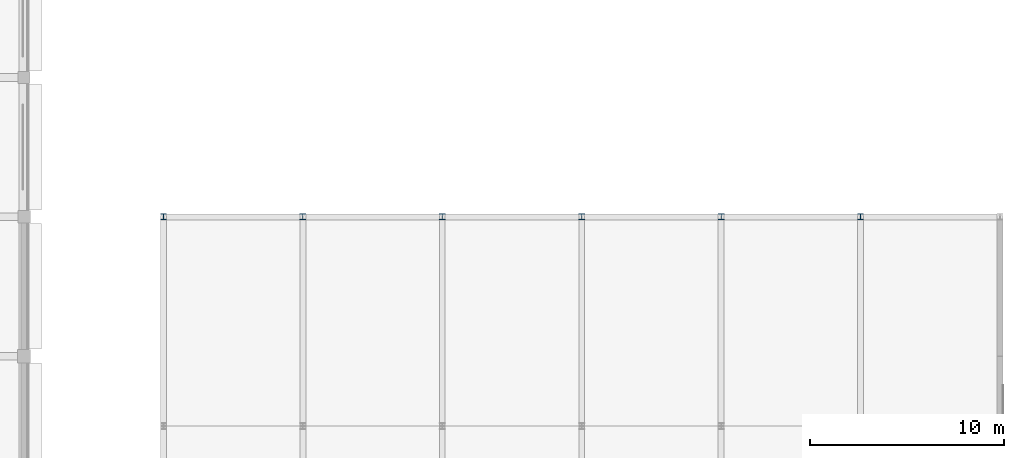
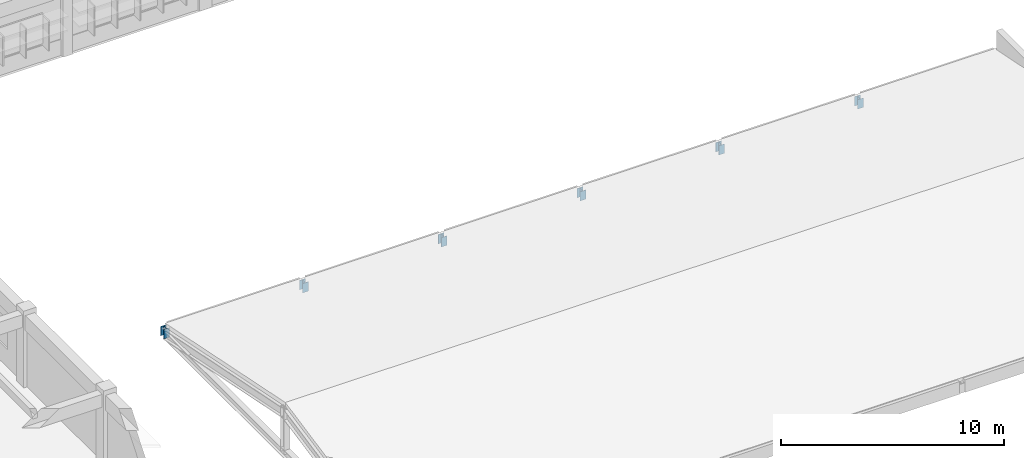
# One storey, part 13 of 103: 6 columns.
"""IFC4 building model written with IfcOpenShell, lengths in metres."""

import ifcopenshell
import ifcopenshell.guid

model = None  # the IFC model being written
_history = None  # IfcOwnerHistory: only IFC2X3 demands one
_inside = {}  # id of a spatial element -> (the spatial element, [elements in it])
_under = {}  # id of a project, library or spatial element -> (it, [spatial elements below it])
_declared = {}  # id of a project -> (the project, [libraries it declares])
_typed = {}  # id of a type object -> (the type object, [elements of that type])
_made_of = {}  # id of a material, layer set ... -> (it, [elements and type objects made of it])


def new_model(schema):
    """Start an empty IFC model of exactly this schema.

    Asked for "IFC4X3", IfcOpenShell would pick the latest addendum, in which some entities
    have other attributes; the version numbers below select the first issue.
    IFC2X3 requires an IfcOwnerHistory on every rooted entity: one is made here for all.
    """
    global model, _history
    if schema == "IFC4X3":
        model = ifcopenshell.file(schema_version=(4, 3, 0, 0))
    else:
        model = ifcopenshell.file(schema=schema)
    _inside.clear()
    _under.clear()
    _declared.clear()
    _typed.clear()
    _made_of.clear()
    _history = None
    if model.schema == "IFC2X3":
        org = make("IfcOrganization", Name="unknown")
        user = make(
            "IfcPersonAndOrganization",
            ThePerson=make("IfcPerson", FamilyName="unknown"),
            TheOrganization=org,
        )
        app = make(
            "IfcApplication",
            ApplicationDeveloper=org,
            Version="unknown",
            ApplicationFullName="unknown",
            ApplicationIdentifier="unknown",
        )
        _history = make(
            "IfcOwnerHistory",
            OwningUser=user,
            OwningApplication=app,
            ChangeAction="ADDED",
            CreationDate=0,
        )
    return model


def make(cls, **values):
    """One entity of the class cls with the attributes given. An attribute that is None is left unset."""
    return model.create_entity(
        cls, **{name: value for name, value in values.items() if value is not None}
    )


def rooted(cls, **values):
    """An entity with a GlobalId (a new one), such as an element, a storey or a relation."""
    return make(cls, GlobalId=ifcopenshell.guid.new(), OwnerHistory=_history, **values)


def si_unit(unit_type, name, prefix=None):
    """IfcSIUnit, for example si_unit("LENGTHUNIT", "METRE", prefix="MILLI")."""
    return make("IfcSIUnit", UnitType=unit_type, Prefix=prefix, Name=name)


def assignment(units):
    """IfcUnitAssignment: the units of a project."""
    return None if units is None else make("IfcUnitAssignment", Units=units)


def point(xyz):
    """IfcCartesianPoint."""
    return None if xyz is None else make("IfcCartesianPoint", Coordinates=xyz)


def direction(xyz):
    """IfcDirection."""
    return None if xyz is None else make("IfcDirection", DirectionRatios=xyz)


def frame(location, z_axis=None, x_axis=None):
    """IfcAxis2Placement3D, a coordinate frame: its origin and axes. An axis left out is left unset."""
    return make(
        "IfcAxis2Placement3D",
        Location=point(location),
        Axis=direction(z_axis),
        RefDirection=direction(x_axis),
    )


def frame_2d(location, x_axis=None):
    """IfcAxis2Placement2D, a coordinate frame in the plane: its origin and x axis."""
    return make(
        "IfcAxis2Placement2D", Location=point(location), RefDirection=direction(x_axis)
    )


def origin():
    """The frame at (0, 0, 0) with its axes left unset."""
    return frame((0.0, 0.0, 0.0))


def origin_2d():
    """The frame at (0, 0) in the plane with its x axis left unset."""
    return frame_2d((0.0, 0.0))


def place(relative_to, where):
    """IfcLocalPlacement: puts the frame where relative to a parent placement (None: the world)."""
    return make(
        "IfcLocalPlacement", PlacementRelTo=relative_to, RelativePlacement=where
    )


def context(
    kind, dimensions, precision=None, world=None, true_north=None, identifier=None
):
    """IfcGeometricRepresentationContext, for example the 3D "Model" context."""
    return make(
        "IfcGeometricRepresentationContext",
        ContextIdentifier=identifier,
        ContextType=kind,
        CoordinateSpaceDimension=dimensions,
        Precision=precision,
        WorldCoordinateSystem=world,
        TrueNorth=true_north,
    )


def subcontext(parent, identifier, kind, view, scale=None):
    """IfcGeometricRepresentationSubContext, for example "Body" below "Model"."""
    return make(
        "IfcGeometricRepresentationSubContext",
        ContextIdentifier=identifier,
        ContextType=kind,
        ParentContext=parent,
        TargetScale=scale,
        TargetView=view,
    )


def project(units=None, contexts=None):
    """IfcProject with its units and contexts."""
    return rooted(
        "IfcProject",
        Name="project",
        RepresentationContexts=contexts,
        UnitsInContext=assignment(units),
    )


def spatial(cls, under=None, at=None, **own):
    """A site, building, storey or space (cls), placed at a placement, below another one or the project."""
    s = rooted(cls, ObjectPlacement=at, **own)
    if under is not None:
        _under.setdefault(under.id(), (under, []))[1].append(s)
    return s


def profile(cls, at=None, kind="AREA", **sizes):
    """A parametric profile (cls). Its sizes go by their IFC names, for example OverallWidth=200.0."""
    return make(cls, ProfileType=kind, Position=at, **sizes)


def i_section(**sizes):
    """IfcIShapeProfileDef."""
    return profile("IfcIShapeProfileDef", **sizes)


def extrude(swept, where, along, depth):
    """IfcExtrudedAreaSolid: the profile swept, set in the frame where, extruded along a direction by depth."""
    return make(
        "IfcExtrudedAreaSolid",
        SweptArea=swept,
        Position=where,
        ExtrudedDirection=direction(along),
        Depth=depth,
    )


def shape(context_of_items, identifier, shape_type, items):
    """IfcShapeRepresentation: the items that make up one representation, for example the "Body"."""
    return make(
        "IfcShapeRepresentation",
        ContextOfItems=context_of_items,
        RepresentationIdentifier=identifier,
        RepresentationType=shape_type,
        Items=items,
    )


def material(Name=None, Category=None):
    """IfcMaterial."""
    return make("IfcMaterial", Name=Name, Category=Category)


def material_profile(
    of_material, cross_section, Name=None, Category=None, Priority=None
):
    """IfcMaterialProfile: a cross section and its material."""
    return make(
        "IfcMaterialProfile",
        Name=Name,
        Material=of_material,
        Profile=cross_section,
        Priority=Priority,
        Category=Category,
    )


def profile_set(profiles, Name=None, composite=None):
    """IfcMaterialProfileSet."""
    return make(
        "IfcMaterialProfileSet",
        Name=Name,
        MaterialProfiles=profiles,
        CompositeProfile=composite,
    )


def made_of(thing, what):
    """Note that an element or type object is made of a material, layer set ...; save() writes the relation."""
    if what is not None:
        _made_of.setdefault(what.id(), (what, []))[1].append(thing)
    return thing


def type_object(cls, material=None, **own):
    """A type object (cls), such as IfcWallType, which elements share."""
    return made_of(rooted(cls, **own), material)


def element(
    cls,
    number,
    at=None,
    inside=None,
    cuts=None,
    type_object=None,
    material=None,
    context=None,
    identifier="Body",
    shape_type=None,
    held_by="IfcProductDefinitionShape",
    body=None,
    shapes=None,
    **own,
):
    """One element of the class cls, such as IfcWall. Its Tag is "e" and its number.

    at: its placement. inside: the storey or other place that contains it. cuts: it is an
    opening in that element (IfcRelVoidsElement). A single representation is given by context,
    identifier, shape_type and body (its items); several are given by shapes. held_by: the class
    of the entity that holds the representations. save() writes the other relations.
    """
    e = rooted(cls, Tag="e%d" % number, ObjectPlacement=at, **own)
    if body is not None:
        shapes = [shape(context, identifier, shape_type, body)]
    if shapes is not None:
        e.Representation = make(held_by, Representations=shapes)
    if inside is not None:
        _inside.setdefault(inside.id(), (inside, []))[1].append(e)
    if cuts is not None:
        rooted(
            "IfcRelVoidsElement", RelatingBuildingElement=cuts, RelatedOpeningElement=e
        )
    if type_object is not None:
        _typed.setdefault(type_object.id(), (type_object, []))[1].append(e)
    return made_of(e, material)


def aggregate(whole, parts):
    """IfcRelAggregates: a whole, such as a stair, and the parts it consists of."""
    return rooted("IfcRelAggregates", RelatingObject=whole, RelatedObjects=parts)


def save(model, path):
    """Write the relations noted so far, then the file.

    IfcRelAggregates (storeys below a building ...), IfcRelContainedInSpatialStructure (elements
    in a storey), IfcRelDefinesByType, IfcRelAssociatesMaterial and IfcRelDeclares: one each for
    every whole, place, type object, material and project.
    """
    for whole, parts in _under.values():
        aggregate(whole, parts)
    for where, things in _inside.values():
        rooted(
            "IfcRelContainedInSpatialStructure",
            RelatedElements=things,
            RelatingStructure=where,
        )
    for kind, things in _typed.values():
        rooted("IfcRelDefinesByType", RelatedObjects=things, RelatingType=kind)
    for what, things in _made_of.values():
        rooted("IfcRelAssociatesMaterial", RelatedObjects=things, RelatingMaterial=what)
    for by, libraries in _declared.values():
        rooted("IfcRelDeclares", RelatingContext=by, RelatedDefinitions=libraries)
    model.write(path)


model = new_model("IFC4")

# Units and contexts
model_context = context("Model", 3, precision=1e-05, world=origin(), true_north=direction((0.0, 1.0)))
body_context = subcontext(model_context, "Body", "Model", "MODEL_VIEW")
ifc_project = project(units=[si_unit("LENGTHUNIT", "METRE"), si_unit("AREAUNIT", "SQUARE_METRE"), si_unit("VOLUMEUNIT", "CUBIC_METRE"), si_unit("PLANEANGLEUNIT", "RADIAN"), si_unit("MASSUNIT", "GRAM", prefix="KILO")], contexts=[model_context])

# Site, building, storey
site_placement = place(None, origin())
site = spatial("IfcSite", under=ifc_project, at=site_placement, CompositionType="ELEMENT")
building_placement = place(site_placement, origin())
building = spatial("IfcBuilding", under=site, at=building_placement, Name="Thalmaran Polytechnic", CompositionType="ELEMENT")
storey_placement = place(building_placement, frame((0.0, 0.0, 14.39990234375)))
storey = spatial("IfcBuildingStorey", under=building, at=storey_placement, Name="L03", CompositionType="ELEMENT", Elevation=14.39990234375)

# Columns
ifc_material = material(Name="Steel S355", Category="steel")
ifc_material_profile = material_profile(ifc_material, i_section(OverallWidth=0.300048828125, OverallDepth=0.300048828125, WebThickness=0.010986328125, FlangeThickness=0.01904296875, at=origin_2d()), Name="HEB 300")
ifc_profile_set = profile_set([ifc_material_profile], Name="Steel S355")
column_type = type_object("IfcColumnType", Name="COL-SC2", PredefinedType="COLUMN", material=ifc_profile_set)
for number, where, z_axis, x_axis, name in (
    (1, (28.800048828125, 72.0, 0.0), (0.0, 0.0, 1.0), (1.0, 0.0, 0.0), "Refectory Roof North Post G04"),
    (2, (36.0, 72.0, 0.0), (0.0, 0.0, 1.0), (1.0, 0.0, 0.0), "Refectory Roof North Post G05"),
    (3, (43.199951171875, 72.0, 0.0), (0.0, 0.0, 1.0), (1.0, 0.0, 0.0), "Refectory Roof North Post G06"),
    (4, (50.39990234375, 72.0, 0.0), (0.0, 0.0, 1.0), (1.0, 0.0, 0.0), "Refectory Roof North Post G07"),
    (5, (57.60009765625, 72.0, 0.0), (0.0, 0.0, 1.0), (1.0, 0.0, 0.0), "Refectory Roof North Post G08"),
    (6, (64.800048828125, 72.0, 0.0), (0.0, 0.0, 1.0), (1.0, 0.0, 0.0), "Refectory Roof North Post G09"),
):
    element("IfcColumn", number, at=place(storey_placement, frame(where, z_axis=z_axis, x_axis=x_axis)), inside=storey, type_object=column_type, Name=name, PredefinedType="COLUMN", context=body_context, shape_type="SweptSolid", body=[
        extrude(i_section(OverallWidth=0.300048828125, OverallDepth=0.300048828125, WebThickness=0.010986328125, FlangeThickness=0.01904296875, at=origin_2d()), origin(), (0.0, 0.0, 1.0), 0.510009765625),
    ])

save(model, "model.ifc")
